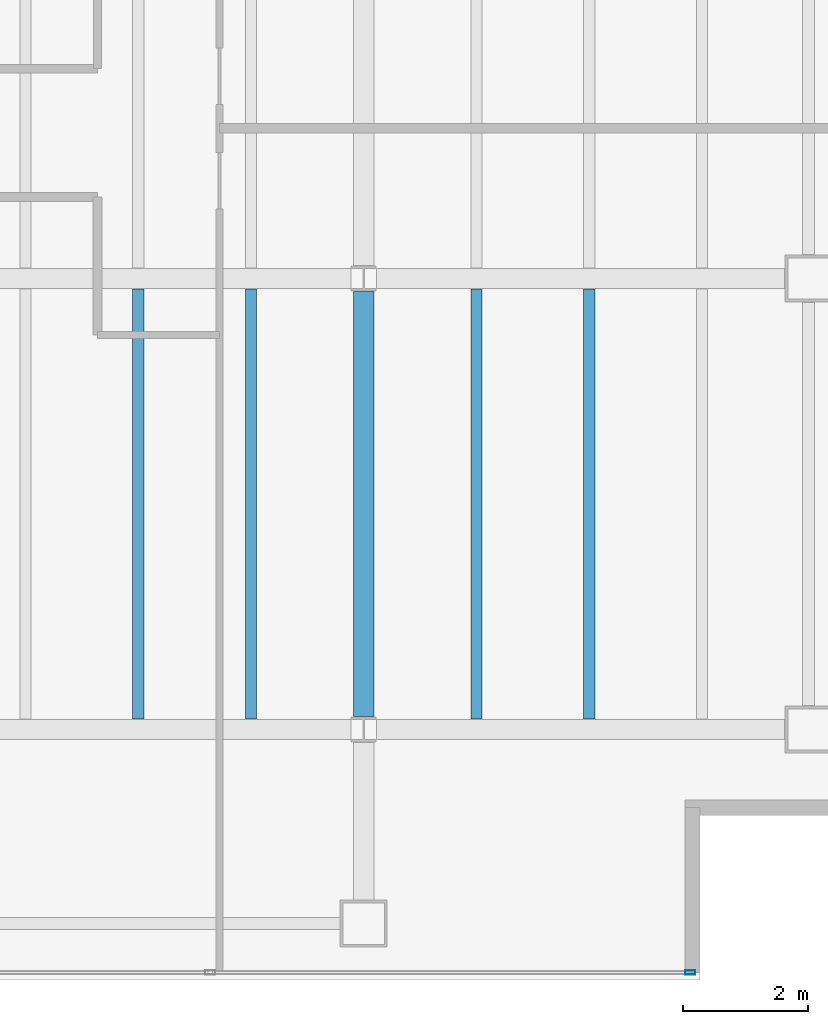
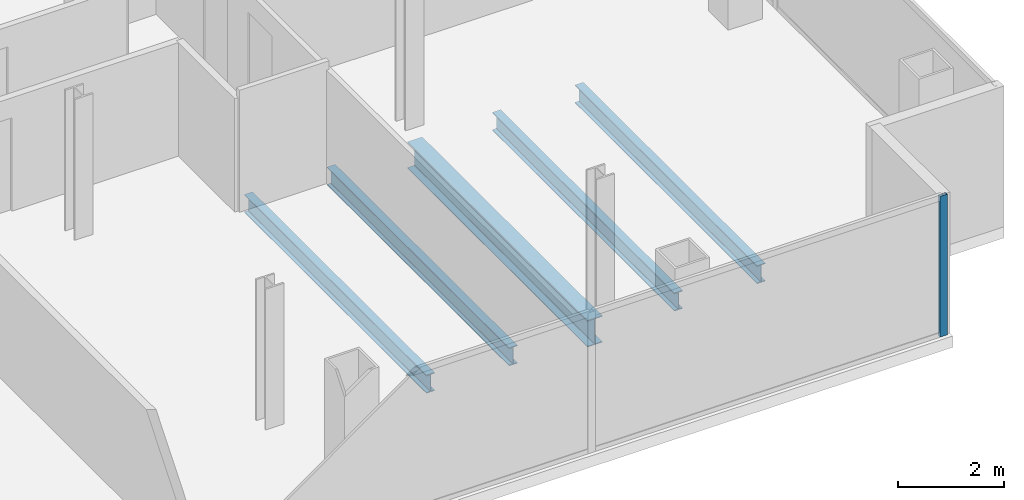
# One storey, part 11 of 23: 5 beams, 1 member, 1 element without a shape of its own.
"""IFC4 building model written with IfcOpenShell, lengths in metres."""

from ifc_helpers import new_model, si_unit, direction, frame, origin, origin_2d, place, context, subcontext, project, spatial, hollow_rectangle, i_section, extrude, material, material_profile, profile_set, type_object, element, aggregate, save


model = new_model("IFC4")

# Units and contexts
model_context = context("Model", 3, precision=1e-05, world=origin(), true_north=direction((0.0, 1.0)))
body_context = subcontext(model_context, "Body", "Model", "MODEL_VIEW")
ifc_project = project(units=[si_unit("LENGTHUNIT", "METRE"), si_unit("AREAUNIT", "SQUARE_METRE"), si_unit("VOLUMEUNIT", "CUBIC_METRE"), si_unit("PLANEANGLEUNIT", "RADIAN"), si_unit("MASSUNIT", "GRAM", prefix="KILO")], contexts=[model_context])

# Site, building, storey
site_placement = place(None, origin())
site = spatial("IfcSite", under=ifc_project, at=site_placement, CompositionType="ELEMENT")
building_placement = place(site_placement, origin())
building = spatial("IfcBuilding", under=site, at=building_placement, Name="Cobrela Telecom Tower", CompositionType="ELEMENT")
storey_placement = place(building_placement, frame((0.0, 0.0, 211.75)))
storey = spatial("IfcBuildingStorey", under=building, at=storey_placement, Name="L54", CompositionType="ELEMENT", Elevation=211.75)

# Beams
ifc_material_1 = material(Name="Steel ASTM A992 Grade 50", Category="steel")
ifc_material_profile_1 = material_profile(ifc_material_1, i_section(OverallWidth=0.324951171875, OverallDepth=0.612060546875, WebThickness=0.0126953125, FlangeThickness=0.01904296875, FilletRadius=0.014892578125, at=origin_2d()), Name="W24X104")
ifc_profile_set_1 = profile_set([ifc_material_profile_1], Name="Steel ASTM A992 Grade 50")
beam_type_1 = type_object("IfcBeamType", Name="BM-GIRD-07", PredefinedType="USERDEFINED", material=ifc_profile_set_1)
beam_placement = place(storey_placement, frame((36.0, 7.404541015625, -0.56591796875), z_axis=(0.0, 1.0, 0.0), x_axis=(-1.0, 0.0, 0.0)))
element("IfcBeam", 1, at=beam_placement, inside=storey, type_object=beam_type_1, Name="L54 Primary Girder Y40", ObjectType="GIRDER", PredefinedType="USERDEFINED", context=body_context, shape_type="SweptSolid", body=[
    extrude(i_section(OverallWidth=0.324951171875, OverallDepth=0.612060546875, WebThickness=0.0126953125, FlangeThickness=0.01904296875, FilletRadius=0.014892578125, at=origin_2d()), origin(), (0.0, 0.0, 1.0), 6.791015625),
])
ifc_material_profile_2 = material_profile(ifc_material_1, i_section(OverallWidth=0.179931640625, OverallDepth=0.4169921875, WebThickness=0.010986328125, FlangeThickness=0.01806640625, FilletRadius=0.011962890625, at=origin_2d()), Name="W16X57")
ifc_profile_set_2 = profile_set([ifc_material_profile_2], Name="Steel ASTM A992 Grade 50")
beam_type_2 = type_object("IfcBeamType", Name="BM-JOIST-04", PredefinedType="JOIST", material=ifc_profile_set_2)
for number, where, z_axis, x_axis, name in (
    (2, (32.39990234375, 7.367431640625, -0.468505859375), (0.0, 1.0, 0.0), (-1.0, 0.0, 0.0), "L54 Secondary Composite Floor Beam J21"),
    (3, (34.199951171875, 7.367431640625, -0.468505859375), (0.0, 1.0, 0.0), (-1.0, 0.0, 0.0), "L54 Secondary Composite Floor Beam J23"),
    (4, (37.800048828125, 7.367431640625, -0.468505859375), (0.0, 1.0, 0.0), (-1.0, 0.0, 0.0), "L54 Secondary Composite Floor Beam J25"),
    (5, (39.60009765625, 7.367431640625, -0.468505859375), (0.0, 1.0, 0.0), (-1.0, 0.0, 0.0), "L54 Secondary Composite Floor Beam J27"),
):
    element("IfcBeam", number, at=place(storey_placement, frame(where, z_axis=z_axis, x_axis=x_axis)), inside=storey, type_object=beam_type_2, Name=name, PredefinedType="JOIST", context=body_context, shape_type="SweptSolid", body=[
        extrude(i_section(OverallWidth=0.179931640625, OverallDepth=0.4169921875, WebThickness=0.010986328125, FlangeThickness=0.01806640625, FilletRadius=0.011962890625, at=origin_2d()), origin(), (0.0, 0.0, 1.0), 6.864990234375),
    ])

# Curtain wall, member
ifc_material_2 = material(Name="Anodized Bronze Aluminium 6063-T6", Category="aluminium")
curtain_wall_type = type_object("IfcCurtainWallType", Name="CW-SYS-OFF-LO", PredefinedType="USERDEFINED", material=ifc_material_2)
curtain_wall_placement = place(storey_placement, origin())
curtain_wall = element("IfcCurtainWall", 6, at=curtain_wall_placement, inside=storey, type_object=curtain_wall_type, Name="L54 Unitised Bronze Curtain Wall 17", ObjectType="UNITISED CURTAIN WALL", PredefinedType="USERDEFINED")
ifc_material_profile_3 = material_profile(ifc_material_2, hollow_rectangle(XDim=0.070068359375, YDim=0.159912109375, WallThickness=0.00390625, at=origin_2d()), Name="ALU 70x160x4")
ifc_profile_set_3 = profile_set([ifc_material_profile_3], Name="Anodized Bronze Aluminium 6063-T6")
member_type = type_object("IfcMemberType", Name="CW-SYS-OFF-LO-MUL", PredefinedType="MULLION", material=ifc_profile_set_3)
member_placement = place(storey_placement, frame((41.215087890625, 3.320068359375, 0.0), z_axis=(0.0, 0.0, 1.0), x_axis=(0.0, -1.0, 0.0)))
member = element("IfcMember", 7, at=member_placement, type_object=member_type, Name="CW-OFF-LO mullion 1", PredefinedType="MULLION", context=body_context, shape_type="SweptSolid", body=[
    extrude(hollow_rectangle(XDim=0.070068359375, YDim=0.159912109375, WallThickness=0.00390625, at=origin_2d()), origin(), (0.0, 0.0, 1.0), 3.239990234375),
])
aggregate(curtain_wall, [member])

save(model, "model.ifc")
